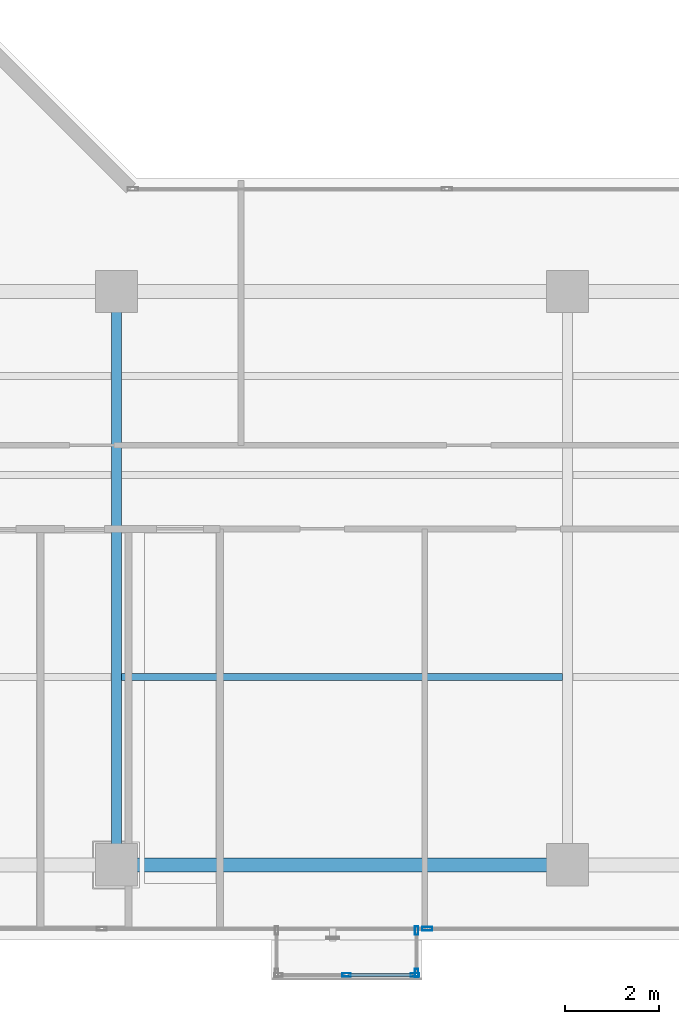
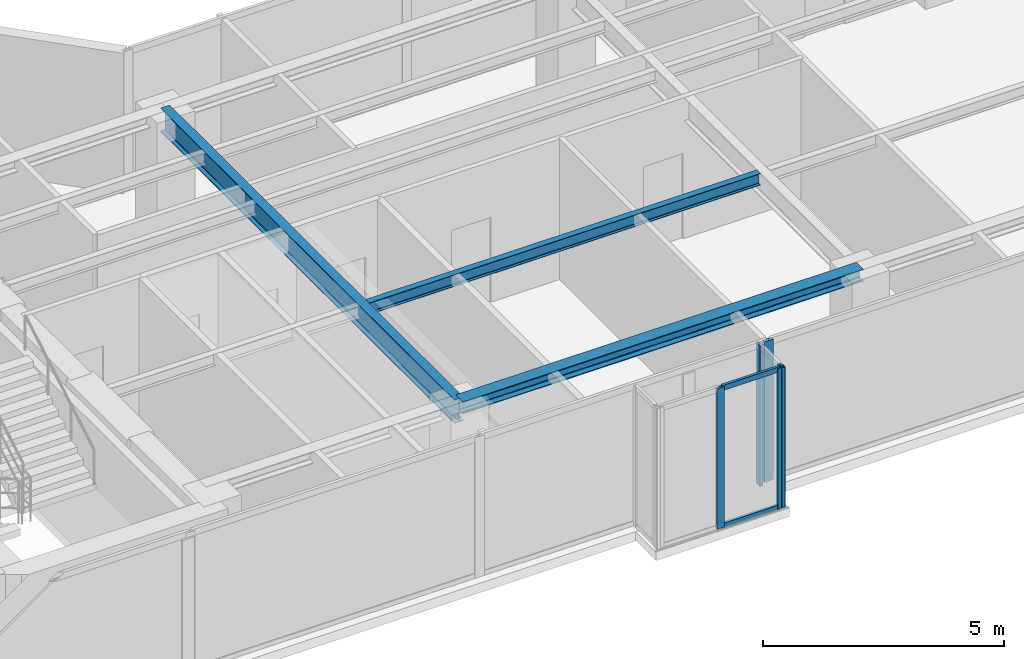
# One storey, part 5 of 22: 7 members, 3 beams, 3 elements without a shape of their own.
"""IFC4 building model written with IfcOpenShell, lengths in metres."""

from ifc_helpers import new_model, si_unit, direction, frame, origin, origin_with_axes, origin_2d, place, context, subcontext, project, spatial, hollow_rectangle, i_section, extrude, source, transform, mapped, material, layer, layer_set, material_profile, profile_set, type_object, element, aggregate, save


model = new_model("IFC4")

# Units and contexts
model_context = context("Model", 3, precision=1e-05, world=origin(), true_north=direction((0.0, 1.0)))
body_context = subcontext(model_context, "Body", "Model", "MODEL_VIEW")
ifc_project = project(units=[si_unit("LENGTHUNIT", "METRE"), si_unit("AREAUNIT", "SQUARE_METRE"), si_unit("VOLUMEUNIT", "CUBIC_METRE"), si_unit("PLANEANGLEUNIT", "RADIAN"), si_unit("MASSUNIT", "GRAM", prefix="KILO")], contexts=[model_context])

# Site, building, storey
site_placement = place(None, origin())
site = spatial("IfcSite", under=ifc_project, at=site_placement, CompositionType="ELEMENT")
building_placement = place(site_placement, origin())
building = spatial("IfcBuilding", under=site, at=building_placement, Name="Kolvaren Waterfront Exchange", CompositionType="ELEMENT")
storey_placement = place(building_placement, frame((0.0, 0.0, 327.39990234375)))
storey = spatial("IfcBuildingStorey", under=building, at=storey_placement, Name="L84", CompositionType="ELEMENT", Elevation=327.39990234375)

# Beams
ifc_material_1 = material(Name="Steel S355", Category="steel")
ifc_material_profile_1 = material_profile(ifc_material_1, i_section(OverallWidth=0.300048828125, OverallDepth=0.300048828125, WebThickness=0.010986328125, FlangeThickness=0.01904296875, FilletRadius=0.027099609375, at=origin_2d()), Name="HEB300")
ifc_profile_set_1 = profile_set([ifc_material_profile_1], Name="Steel S355")
beam_type_1 = type_object("IfcBeamType", Name="STR-BM-HEB300", PredefinedType="SPANDREL", material=ifc_profile_set_1)
beam_1_placement = place(storey_placement, frame((27.199951171875, 5.199951171875, 3.41015625), z_axis=(1.0, 0.0, 0.0), x_axis=(0.0, 1.0, 0.0)))
element("IfcBeam", 1, at=beam_1_placement, inside=storey, type_object=beam_type_1, Name="L84 east-arm spandrel S2", PredefinedType="SPANDREL", context=body_context, shape_type="SweptSolid", body=[
    extrude(i_section(OverallWidth=0.300048828125, OverallDepth=0.300048828125, WebThickness=0.010986328125, FlangeThickness=0.01904296875, FilletRadius=0.027099609375, at=origin_2d()), origin(), (0.0, 0.0, 1.0), 9.60009765625),
])
ifc_material_profile_2 = material_profile(ifc_material_1, i_section(OverallWidth=0.14990234375, OverallDepth=0.300048828125, WebThickness=0.007080078125, FlangeThickness=0.0107421875, FilletRadius=0.014892578125, at=origin_2d()), Name="IPE300")
ifc_profile_set_2 = profile_set([ifc_material_profile_2], Name="Steel S355")
beam_type_2 = type_object("IfcBeamType", Name="STR-BM-IPE300", PredefinedType="JOIST", material=ifc_profile_set_2)
beam_2_placement = place(storey_placement, frame((27.31201171875, 9.199951171875, 3.41015625), z_axis=(1.0, 0.0, 0.0), x_axis=(0.0, 1.0, 0.0)))
element("IfcBeam", 2, at=beam_2_placement, inside=storey, type_object=beam_type_2, Name="L84 east-arm composite joist 2B", PredefinedType="JOIST", context=body_context, shape_type="SweptSolid", body=[
    extrude(i_section(OverallWidth=0.14990234375, OverallDepth=0.300048828125, WebThickness=0.007080078125, FlangeThickness=0.0107421875, FilletRadius=0.014892578125, at=origin_2d()), origin(), (0.0, 0.0, 1.0), 9.3759765625),
])
ifc_material_profile_3 = material_profile(ifc_material_1, i_section(OverallWidth=0.219970703125, OverallDepth=0.60009765625, WebThickness=0.011962890625, FlangeThickness=0.01904296875, FilletRadius=0.02392578125, at=origin_2d()), Name="IPE600")
ifc_profile_set_3 = profile_set([ifc_material_profile_3], Name="Steel S355")
beam_type_3 = type_object("IfcBeamType", Name="STR-BM-IPE600", PredefinedType="BEAM", material=ifc_profile_set_3)
beam_3_placement = place(storey_placement, frame((27.199951171875, 5.199951171875, 3.260009765625), z_axis=(0.0, 1.0, 0.0), x_axis=(-1.0, 0.0, 0.0)))
element("IfcBeam", 3, at=beam_3_placement, inside=storey, type_object=beam_type_3, Name="L84 east-arm transverse girder X27", PredefinedType="BEAM", context=body_context, shape_type="SweptSolid", body=[
    extrude(i_section(OverallWidth=0.219970703125, OverallDepth=0.60009765625, WebThickness=0.011962890625, FlangeThickness=0.01904296875, FilletRadius=0.02392578125, at=origin_2d()), origin(), (0.0, 0.0, 1.0), 12.199951171875),
])

# Curtain wall, members
ifc_material_2 = material(Name="Anodised bronze aluminium 6063-T6", Category="aluminium")
ifc_layer_1 = layer(ifc_material_2, 0.219970703125, Name="Anodised bronze aluminium 6063-T6")
ifc_layer_set_1 = layer_set([ifc_layer_1], Name="Anodised bronze aluminium 6063-T6")
curtain_wall_type_1 = type_object("IfcCurtainWallType", Name="ARC-CW-SYS3", PredefinedType="USERDEFINED", material=ifc_layer_set_1)
curtain_wall_1_placement = place(storey_placement, origin())
curtain_wall_1 = element("IfcCurtainWall", 4, at=curtain_wall_1_placement, inside=storey, type_object=curtain_wall_type_1, Name="L84 stick curtain wall CW3 (CW-L84-BOX)", ObjectType="STICK CURTAIN WALL", PredefinedType="USERDEFINED")
ifc_material_profile_4 = material_profile(ifc_material_2, hollow_rectangle(XDim=0.06494140625, YDim=0.1298828125, WallThickness=0.00390625, at=origin_2d()), Name="ALU-TRN-130x65x4")
ifc_profile_set_4 = profile_set([ifc_material_profile_4], Name="Anodised bronze aluminium 6063-T6")
member_type_1 = type_object("IfcMemberType", Name="ARC-CWT-130", PredefinedType="USERDEFINED", material=ifc_profile_set_4)
shared_shape_1 = source(origin_with_axes(), body_context, "Body", "SweptSolid", [
    extrude(hollow_rectangle(XDim=0.06494140625, YDim=0.1298828125, WallThickness=0.00390625, at=origin_2d()), origin(), (0.0, 0.0, 1.0), 1.37744140625),
])
member_1_placement = place(storey_placement, frame((32.137451171875, 2.860107421875, 0.03271484375), z_axis=(1.0, 0.0, 0.0), x_axis=(0.0, 1.0, 0.0)))
member_1 = element("IfcMember", 5, at=member_1_placement, type_object=member_type_1, Name="CW3 transom 2.1", ObjectType="TRANSOM", PredefinedType="USERDEFINED", context=body_context, shape_type="MappedRepresentation", body=[
    mapped(shared_shape_1, transform((0.0, 0.0, 0.0), x_axis=(1.0, 0.0, 0.0), y_axis=(0.0, 1.0, 0.0), z_axis=(0.0, 0.0, 1.0), scale=1.0)),
])
member_2_placement = place(storey_placement, frame((32.137451171875, 2.860107421875, 3.527587890625), z_axis=(1.0, 0.0, 0.0), x_axis=(0.0, 1.0, 0.0)))
member_2 = element("IfcMember", 6, at=member_2_placement, type_object=member_type_1, Name="CW3 transom 2.2", ObjectType="TRANSOM", PredefinedType="USERDEFINED", context=body_context, shape_type="MappedRepresentation", body=[
    mapped(shared_shape_1, transform((0.0, 0.0, 0.0), x_axis=(1.0, 0.0, 0.0), y_axis=(0.0, 1.0, 0.0), z_axis=(0.0, 0.0, 1.0), scale=1.0)),
])
ifc_material_profile_5 = material_profile(ifc_material_2, hollow_rectangle(XDim=0.074951171875, YDim=0.179931640625, WallThickness=0.00439453125, at=origin_2d()), Name="ALU-MUL-180x75x4.5")
ifc_profile_set_5 = profile_set([ifc_material_profile_5], Name="Anodised bronze aluminium 6063-T6")
member_type_2 = type_object("IfcMemberType", Name="ARC-CWM-180", PredefinedType="MULLION", material=ifc_profile_set_5)
shared_shape_2 = source(origin_with_axes(), body_context, "Body", "SweptSolid", [
    extrude(hollow_rectangle(XDim=0.074951171875, YDim=0.179931640625, WallThickness=0.00439453125, at=origin_2d()), origin(), (0.0, 0.0, 1.0), 3.56005859375),
])
member_3_placement = place(storey_placement, frame((32.10009765625, 2.860107421875, 0.0), z_axis=(0.0, 0.0, 1.0), x_axis=(0.0, 1.0, 0.0)))
member_3 = element("IfcMember", 7, at=member_3_placement, type_object=member_type_2, Name="CW3 mullion 2", PredefinedType="MULLION", context=body_context, shape_type="MappedRepresentation", body=[
    mapped(shared_shape_2, transform((0.0, 0.0, 0.0), x_axis=(1.0, 0.0, 0.0), y_axis=(0.0, 1.0, 0.0), z_axis=(0.0, 0.0, 1.0), scale=1.0)),
])
member_4_placement = place(storey_placement, frame((33.552490234375, 2.860107421875, 0.0), z_axis=(0.0, 0.0, 1.0), x_axis=(0.0, 1.0, 0.0)))
member_4 = element("IfcMember", 8, at=member_4_placement, type_object=member_type_2, Name="CW3 mullion 3", PredefinedType="MULLION", context=body_context, shape_type="MappedRepresentation", body=[
    mapped(shared_shape_2, transform((0.0, 0.0, 0.0), x_axis=(1.0, 0.0, 0.0), y_axis=(0.0, 1.0, 0.0), z_axis=(0.0, 0.0, 1.0), scale=1.0)),
])
aggregate(curtain_wall_1, [member_3, member_4, member_1, member_2])

curtain_wall_2_placement = place(storey_placement, origin())
curtain_wall_2 = element("IfcCurtainWall", 9, at=curtain_wall_2_placement, inside=storey, type_object=curtain_wall_type_1, Name="L84 stick curtain wall CW3 (CW-L84-BOX-E)", ObjectType="STICK CURTAIN WALL", PredefinedType="USERDEFINED")
member_5_placement = place(storey_placement, frame((33.590087890625, 2.8974609375, 0.0), z_axis=(0.0, 0.0, 1.0), x_axis=(-1.0, 0.0, 0.0)))
member_5 = element("IfcMember", 10, at=member_5_placement, type_object=member_type_2, Name="CW3 mullion 1", PredefinedType="MULLION", context=body_context, shape_type="MappedRepresentation", body=[
    mapped(shared_shape_2, transform((0.0, 0.0, 0.0), x_axis=(1.0, 0.0, 0.0), y_axis=(0.0, 1.0, 0.0), z_axis=(0.0, 0.0, 1.0), scale=1.0)),
])
member_6_placement = place(storey_placement, frame((33.590087890625, 3.802490234375, 0.0), z_axis=(0.0, 0.0, 1.0), x_axis=(-1.0, 0.0, 0.0)))
member_6 = element("IfcMember", 11, at=member_6_placement, type_object=member_type_2, Name="CW3 mullion 2", PredefinedType="MULLION", context=body_context, shape_type="MappedRepresentation", body=[
    mapped(shared_shape_2, transform((0.0, 0.0, 0.0), x_axis=(1.0, 0.0, 0.0), y_axis=(0.0, 1.0, 0.0), z_axis=(0.0, 0.0, 1.0), scale=1.0)),
])
aggregate(curtain_wall_2, [member_5, member_6])

# Curtain wall, member
ifc_layer_2 = layer(ifc_material_2, 0.219970703125, Name="Anodised bronze aluminium 6063-T6")
ifc_layer_set_2 = layer_set([ifc_layer_2], Name="Anodised bronze aluminium 6063-T6")
curtain_wall_type_2 = type_object("IfcCurtainWallType", Name="ARC-CW-SYS1", PredefinedType="USERDEFINED", material=ifc_layer_set_2)
curtain_wall_3_placement = place(storey_placement, origin())
curtain_wall_3 = element("IfcCurtainWall", 12, at=curtain_wall_3_placement, inside=storey, type_object=curtain_wall_type_2, Name="L84 stick curtain wall CW1 (CW-L84-S)", ObjectType="STICK CURTAIN WALL", PredefinedType="USERDEFINED")
ifc_material_3 = material(Name="Anodised aluminium 6063-T6", Category="aluminium")
ifc_material_profile_6 = material_profile(ifc_material_3, hollow_rectangle(XDim=0.080078125, YDim=0.219970703125, WallThickness=0.0048828125, at=origin_2d()), Name="ALU-MUL-220x80x5")
ifc_profile_set_6 = profile_set([ifc_material_profile_6], Name="Anodised aluminium 6063-T6")
member_type_3 = type_object("IfcMemberType", Name="ARC-CWM-220", PredefinedType="MULLION", material=ifc_profile_set_6)
shared_shape_3 = source(origin_with_axes(), body_context, "Body", "SweptSolid", [
    extrude(hollow_rectangle(XDim=0.080078125, YDim=0.219970703125, WallThickness=0.0048828125, at=origin_2d()), origin(), (0.0, 0.0, 1.0), 3.56005859375),
])
member_7_placement = place(storey_placement, frame((33.81591796875, 3.840087890625, 0.0), z_axis=(0.0, 0.0, 1.0), x_axis=(0.0, 1.0, 0.0)))
member_7 = element("IfcMember", 13, at=member_7_placement, type_object=member_type_3, Name="CW1 mullion 5", PredefinedType="MULLION", context=body_context, shape_type="MappedRepresentation", body=[
    mapped(shared_shape_3, transform((0.0, 0.0, 0.0), x_axis=(1.0, 0.0, 0.0), y_axis=(0.0, 1.0, 0.0), z_axis=(0.0, 0.0, 1.0), scale=1.0)),
])
aggregate(curtain_wall_3, [member_7])

save(model, "model.ifc")
